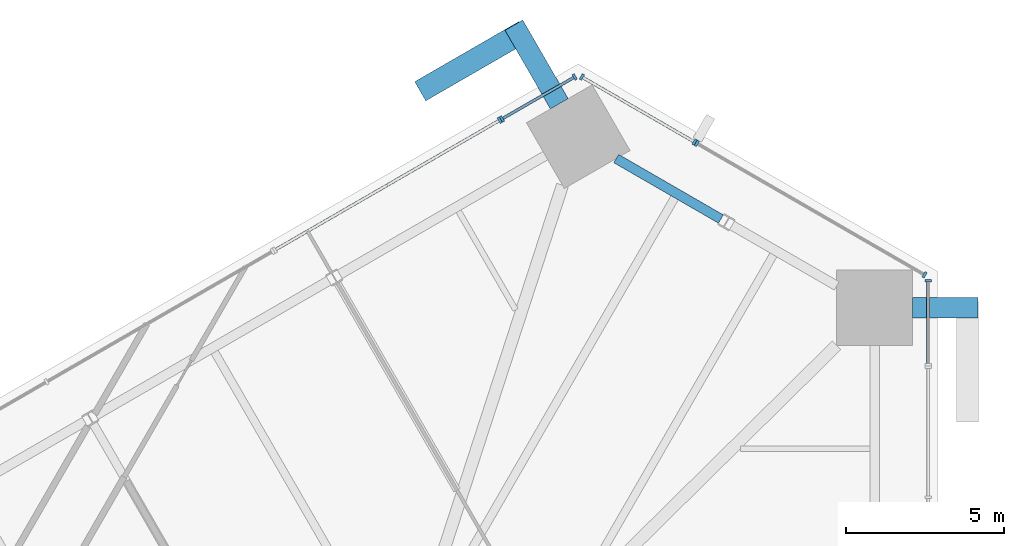
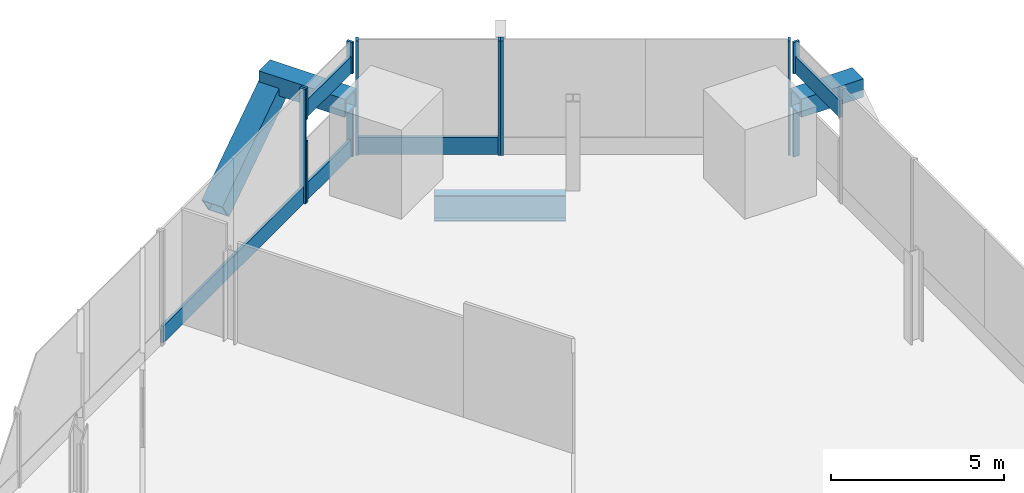
# One storey, part 8 of 22: 19 members, 1 beam, 7 elements without a shape of their own.
"""IFC4 building model written with IfcOpenShell, lengths in metres."""

from ifc_helpers import new_model, si_unit, direction, frame, origin, origin_2d, place, context, subcontext, project, spatial, rectangle, hollow_rectangle, i_section, extrude, source, transform, mapped, material, material_profile, profile_set, type_object, element, aggregate, save


model = new_model("IFC4")

# Units and contexts
model_context = context("Model", 3, precision=1e-05, world=origin(), true_north=direction((0.0, 1.0)))
body_context = subcontext(model_context, "Body", "Model", "MODEL_VIEW")
ifc_project = project(units=[si_unit("LENGTHUNIT", "METRE"), si_unit("AREAUNIT", "SQUARE_METRE"), si_unit("VOLUMEUNIT", "CUBIC_METRE"), si_unit("PLANEANGLEUNIT", "RADIAN"), si_unit("MASSUNIT", "GRAM", prefix="KILO")], contexts=[model_context])

# Site, building, storey
site_placement = place(None, origin())
site = spatial("IfcSite", under=ifc_project, at=site_placement, CompositionType="ELEMENT")
building_placement = place(site_placement, origin())
building = spatial("IfcBuilding", under=site, at=building_placement, Name="Triune Harvest Tower", CompositionType="ELEMENT")
storey_placement = place(building_placement, frame((0.0, 0.0, 50.39990234375)))
storey = spatial("IfcBuildingStorey", under=building, at=storey_placement, Name="L11", CompositionType="ELEMENT", Elevation=50.39990234375)

# Curtain wall, member
ifc_material_1 = material(Name="Aluminium bronze anodised", Category="aluminium")
curtain_wall_type_1 = type_object("IfcCurtainWallType", Name="CW-8 Farm floor curtain wall with insulated spandrel infill", PredefinedType="NOTDEFINED", material=ifc_material_1)
curtain_wall_1_placement = place(storey_placement, origin())
curtain_wall_1 = element("IfcCurtainWall", 1, at=curtain_wall_1_placement, inside=storey, type_object=curtain_wall_type_1, Name="CW-8 B1-F3 L11 run 201")
ifc_material_2 = material(Name="Aluminium bronze anodised", Category="aluminium")
ifc_material_profile_1 = material_profile(ifc_material_2, rectangle(XDim=0.090087890625, YDim=0.60009765625, at=origin_2d()), Name="TR-3 transom 90 x 600")
ifc_profile_set_1 = profile_set([ifc_material_profile_1], Name="Aluminium bronze anodised")
member_type_1 = type_object("IfcMemberType", Name="TR-3 transom 90 x 600", PredefinedType="USERDEFINED", material=ifc_profile_set_1)
member_1_placement = place(storey_placement, frame((9.79296875, 32.640869140625, 0.300048828125), z_axis=(-0.86602913801, -0.499993532075, 0.0), x_axis=(0.499993532075, -0.86602913801, 0.0)))
member_1 = element("IfcMember", 2, at=member_1_placement, type_object=member_type_1, Name="CW-8 transom B1-F3 201.1", ObjectType="TRANSOM", PredefinedType="USERDEFINED", context=body_context, shape_type="SweptSolid", body=[
    extrude(rectangle(XDim=0.090087890625, YDim=0.60009765625, at=origin_2d()), origin(), (0.0, 0.0, 1.0), 8.1337890625),
])

# Beam
ifc_material_3 = material(Name="Steel ASTM A992 Gr 50", Category="steel")
ifc_material_profile_2 = material_profile(ifc_material_3, i_section(OverallWidth=0.3046875, OverallDepth=0.914306640625, WebThickness=0.0166015625, FlangeThickness=0.02587890625, at=origin_2d()), Name="W36x160")
ifc_profile_set_2 = profile_set([ifc_material_profile_2], Name="Steel ASTM A992 Gr 50")
beam_type = type_object("IfcBeamType", Name="SB-1 Spandrel beam W36x160", PredefinedType="SPANDREL", material=ifc_profile_set_2)
shared_shape_1 = source(origin(), body_context, "Body", "SweptSolid", [
    extrude(i_section(OverallWidth=0.3046875, OverallDepth=0.914306640625, WebThickness=0.0166015625, FlangeThickness=0.02587890625, at=origin_2d()), origin(), (0.0, 0.0, 1.0), 3.822509765625),
])
beam_placement = place(storey_placement, frame((16.8193359375, 29.535888671875, -0.656982421875), z_axis=(-0.866005830769, 0.500033899925, 0.0), x_axis=(-0.500033899925, -0.866005830769, 0.0)))
element("IfcBeam", 3, at=beam_placement, inside=storey, type_object=beam_type, Name="beam/L11/SB8", PredefinedType="SPANDREL", context=body_context, shape_type="MappedRepresentation", body=[
    mapped(shared_shape_1, transform((0.0, 0.0, 0.0), scale=1.0)),
])

# Members
ifc_material_4 = material(Name="Steel ASTM A572 Gr 50", Category="steel")
ifc_material_profile_3 = material_profile(ifc_material_4, hollow_rectangle(XDim=0.64990234375, YDim=0.64990234375, WallThickness=0.070068359375, at=origin_2d()), Name="Box 650x650x70")
ifc_profile_set_3 = profile_set([ifc_material_profile_3], Name="Steel ASTM A572 Gr 50")
member_type_2 = type_object("IfcMemberType", Name="BS-1 Brace stub Box 650x650x70", PredefinedType="STRUT", material=ifc_profile_set_3)
shared_shape_2 = source(origin(), body_context, "Body", "SweptSolid", [
    extrude(hollow_rectangle(XDim=0.64990234375, YDim=0.64990234375, WallThickness=0.070068359375, at=origin_2d()), origin(), (0.0, 0.0, 1.0), 2.072021484375),
])
member_2_placement = place(storey_placement, frame((22.87939453125, 26.72998046875, 2.550048828125), z_axis=(1.0, 0.0, 0.0), x_axis=(0.0, 1.0, 0.0)))
element("IfcMember", 4, at=member_2_placement, inside=storey, type_object=member_type_2, Name="brace/B1-F1/stub2", PredefinedType="STRUT", context=body_context, shape_type="MappedRepresentation", body=[
    mapped(shared_shape_2, transform((0.0, 0.0, 0.0), scale=1.0)),
])
ifc_material_5 = material(Name="Steel ASTM A572 Gr 50", Category="steel")
ifc_material_profile_4 = material_profile(ifc_material_5, hollow_rectangle(XDim=0.699951171875, YDim=0.699951171875, WallThickness=0.0400390625, at=origin_2d()), Name="Box 700x700x40")
ifc_profile_set_4 = profile_set([ifc_material_profile_4], Name="Steel ASTM A572 Gr 50")
member_type_3 = type_object("IfcMemberType", Name="BR-1 Brace Box 700x700x40", PredefinedType="BRACE", material=ifc_profile_set_4)
shared_shape_3 = source(origin(), body_context, "Body", "SweptSolid", [
    extrude(hollow_rectangle(XDim=0.699951171875, YDim=0.699951171875, WallThickness=0.0400390625, at=origin_2d()), origin(), (0.0, 0.0, 1.0), 4.109375),
])
member_3_placement = place(storey_placement, frame((7.481201171875, 33.67333984375, 0.0), z_axis=(0.719594964272, 0.415466280148, 0.556390921434), x_axis=(-0.500007161152, 0.866021269252, 0.0)))
element("IfcMember", 5, at=member_3_placement, inside=storey, type_object=member_type_3, Name="brace/B1-F3/d2/9", PredefinedType="BRACE", context=body_context, shape_type="MappedRepresentation", body=[
    mapped(shared_shape_3, transform((0.0, 0.0, 0.0), scale=1.0)),
])
shared_shape_4 = source(origin(), body_context, "Body", "SweptSolid", [
    extrude(hollow_rectangle(XDim=0.64990234375, YDim=0.64990234375, WallThickness=0.070068359375, at=origin_2d()), origin(), (0.0, 0.0, 1.0), 2.8720703125),
])
member_4_placement = place(storey_placement, frame((11.708984375, 33.17919921875, 2.550048828125), z_axis=(-0.499933402489, 0.866063850461, 0.0), x_axis=(-0.866063850461, -0.499933402489, 0.0)))
element("IfcMember", 6, at=member_4_placement, inside=storey, type_object=member_type_2, Name="brace/B1-F3/stub4", PredefinedType="STRUT", context=body_context, shape_type="MappedRepresentation", body=[
    mapped(shared_shape_4, transform((0.0, 0.0, 0.0), scale=1.0)),
])

# Curtain wall, member
curtain_wall_2_placement = place(storey_placement, origin())
curtain_wall_2 = element("IfcCurtainWall", 7, at=curtain_wall_2_placement, inside=storey, type_object=curtain_wall_type_1, Name="CW-8 B1-F2 L11 run 1001")
shared_shape_5 = source(origin(), body_context, "Body", "SweptSolid", [
    extrude(rectangle(XDim=0.090087890625, YDim=0.60009765625, at=origin_2d()), origin(), (0.0, 0.0, 1.0), 4.037841796875),
])
member_5_placement = place(storey_placement, frame((15.953125, 31.98974609375, 0.300048828125), z_axis=(-0.86603555974, 0.499982408957, 0.0), x_axis=(-0.499982408957, -0.86603555974, 0.0)))
member_5 = element("IfcMember", 8, at=member_5_placement, type_object=member_type_1, Name="CW-8 transom B1-F2 1001.1", ObjectType="TRANSOM", PredefinedType="USERDEFINED", context=body_context, shape_type="MappedRepresentation", body=[
    mapped(shared_shape_5, transform((0.0, 0.0, 0.0), scale=1.0)),
])

curtain_wall_3_placement = place(storey_placement, origin())
curtain_wall_3 = element("IfcCurtainWall", 9, at=curtain_wall_3_placement, inside=storey, type_object=curtain_wall_type_1, Name="CW-8 B1-F1 L11 run 301")
ifc_material_6 = material(Name="Aluminium bronze anodised", Category="aluminium")
ifc_material_profile_5 = material_profile(ifc_material_6, rectangle(XDim=0.199951171875, YDim=0.080078125, at=origin_2d()), Name="MU-3 mullion 80 x 200")
ifc_profile_set_5 = profile_set([ifc_material_profile_5], Name="Aluminium bronze anodised")
member_type_4 = type_object("IfcMemberType", Name="MU-3 mullion 80 x 200", PredefinedType="MULLION", material=ifc_profile_set_5)
shared_shape_6 = source(origin(), body_context, "Body", "SweptSolid", [
    extrude(rectangle(XDim=0.199951171875, YDim=0.080078125, at=origin_2d()), origin(), (0.0, 0.0, 1.0), 2.1650390625),
])
member_6_placement = place(storey_placement, frame((23.371337890625, 27.576904296875, 0.0), z_axis=(0.0, 0.0, 1.0), x_axis=(-1.0, 0.0, 0.0)))
member_6 = element("IfcMember", 10, at=member_6_placement, type_object=member_type_4, Name="CW-8 mullion B1-F1 301.2", PredefinedType="MULLION", context=body_context, shape_type="MappedRepresentation", body=[
    mapped(shared_shape_6, transform((0.0, 0.0, 0.0), scale=1.0)),
])
aggregate(curtain_wall_3, [member_6])

# Curtain wall, members
ifc_material_7 = material(Name="Aluminium bronze anodised", Category="aluminium")
curtain_wall_type_2 = type_object("IfcCurtainWallType", Name="CW-3 Farm floor curtain wall", PredefinedType="NOTDEFINED", material=ifc_material_7)
curtain_wall_4_placement = place(storey_placement, origin())
curtain_wall_4 = element("IfcCurtainWall", 11, at=curtain_wall_4_placement, inside=storey, type_object=curtain_wall_type_2, Name="CW-3 B1-F3 L11 run 1")
member_7_placement = place(storey_placement, frame((12.196533203125, 34.028564453125, 0.0), z_axis=(0.0, 0.0, 1.0), x_axis=(0.499988268572, -0.866032176822, 0.0)))
member_7 = element("IfcMember", 12, at=member_7_placement, type_object=member_type_4, Name="CW-3 mullion B1-F3 1.1", PredefinedType="MULLION", context=body_context, shape_type="MappedRepresentation", body=[
    mapped(shared_shape_6, transform((0.0, 0.0, 0.0), scale=1.0)),
])
member_8_placement = place(storey_placement, frame((9.896728515625, 32.700927734375, 0.0), z_axis=(0.0, 0.0, 1.0), x_axis=(0.499988268572, -0.866032176822, 0.0)))
member_8 = element("IfcMember", 13, at=member_8_placement, type_object=member_type_4, Name="CW-3 mullion B1-F3 1.2", PredefinedType="MULLION", context=body_context, shape_type="MappedRepresentation", body=[
    mapped(shared_shape_6, transform((0.0, 0.0, 0.0), scale=1.0)),
])

# Curtain wall, member
curtain_wall_5_placement = place(storey_placement, origin())
curtain_wall_5 = element("IfcCurtainWall", 14, at=curtain_wall_5_placement, inside=storey, type_object=curtain_wall_type_2, Name="CW-3 B1-F1 L11 run 401")
shared_shape_7 = source(origin(), body_context, "Body", "SweptSolid", [
    extrude(rectangle(XDim=0.090087890625, YDim=0.60009765625, at=origin_2d()), origin(), (0.0, 0.0, 1.0), 2.575439453125),
])
member_9_placement = place(storey_placement, frame((23.371337890625, 24.96142578125, 3.235107421875), z_axis=(0.0, 1.0, 0.0), x_axis=(-1.0, 0.0, 0.0)))
member_9 = element("IfcMember", 15, at=member_9_placement, type_object=member_type_1, Name="CW-3 transom B1-F1 401.1", ObjectType="TRANSOM", PredefinedType="USERDEFINED", context=body_context, shape_type="MappedRepresentation", body=[
    mapped(shared_shape_7, transform((0.0, 0.0, 0.0), scale=1.0)),
])

# Member
member_10_placement = place(storey_placement, frame((12.161865234375, 34.008544921875, 0.300048828125), z_axis=(-0.866052988967, -0.499952218018, 0.0), x_axis=(0.499952218018, -0.866052988967, 0.0)))
member_10 = element("IfcMember", 16, at=member_10_placement, type_object=member_type_1, Name="CW-3 transom B1-F3 1.1", ObjectType="TRANSOM", PredefinedType="USERDEFINED", context=body_context, shape_type="MappedRepresentation", body=[
    mapped(shared_shape_7, transform((0.0, 0.0, 0.0), scale=1.0)),
])

aggregate(curtain_wall_4, [member_7, member_8, member_10])

# Curtain wall, member
curtain_wall_6_placement = place(storey_placement, origin())
curtain_wall_6 = element("IfcCurtainWall", 17, at=curtain_wall_6_placement, inside=storey, type_object=curtain_wall_type_2, Name="CW-3 B1-F3 L11 run 101")
member_11_placement = place(storey_placement, frame((12.161865234375, 34.008544921875, 3.235107421875), z_axis=(-0.866052988967, -0.499952218018, 0.0), x_axis=(0.499952218018, -0.866052988967, 0.0)))
member_11 = element("IfcMember", 18, at=member_11_placement, type_object=member_type_1, Name="CW-3 transom B1-F3 101.1", ObjectType="TRANSOM", PredefinedType="USERDEFINED", context=body_context, shape_type="MappedRepresentation", body=[
    mapped(shared_shape_7, transform((0.0, 0.0, 0.0), scale=1.0)),
])

# Member
shared_shape_8 = source(origin(), body_context, "Body", "SweptSolid", [
    extrude(rectangle(XDim=0.199951171875, YDim=0.080078125, at=origin_2d()), origin(), (0.0, 0.0, 1.0), 1.114990234375),
])
member_12_placement = place(storey_placement, frame((23.371337890625, 27.576904296875, 2.93505859375), z_axis=(0.0, 0.0, 1.0), x_axis=(-1.0, 0.0, 0.0)))
member_12 = element("IfcMember", 19, at=member_12_placement, type_object=member_type_4, Name="CW-3 mullion B1-F1 401.2", PredefinedType="MULLION", context=body_context, shape_type="MappedRepresentation", body=[
    mapped(shared_shape_8, transform((0.0, 0.0, 0.0), scale=1.0)),
])

aggregate(curtain_wall_5, [member_12, member_9])

member_13_placement = place(storey_placement, frame((12.196533203125, 34.028564453125, 2.93505859375), z_axis=(0.0, 0.0, 1.0), x_axis=(0.499988268572, -0.866032176822, 0.0)))
member_13 = element("IfcMember", 20, at=member_13_placement, type_object=member_type_4, Name="CW-3 mullion B1-F3 101.1", PredefinedType="MULLION", context=body_context, shape_type="MappedRepresentation", body=[
    mapped(shared_shape_8, transform((0.0, 0.0, 0.0), scale=1.0)),
])

member_14_placement = place(storey_placement, frame((9.896728515625, 32.700927734375, 2.93505859375), z_axis=(0.0, 0.0, 1.0), x_axis=(0.499988268572, -0.866032176822, 0.0)))
member_14 = element("IfcMember", 21, at=member_14_placement, type_object=member_type_4, Name="CW-3 mullion B1-F3 101.2", PredefinedType="MULLION", context=body_context, shape_type="MappedRepresentation", body=[
    mapped(shared_shape_8, transform((0.0, 0.0, 0.0), scale=1.0)),
])

aggregate(curtain_wall_6, [member_13, member_14, member_11])

# Curtain wall, members
curtain_wall_7_placement = place(storey_placement, origin())
curtain_wall_7 = element("IfcCurtainWall", 22, at=curtain_wall_7_placement, inside=storey, type_object=curtain_wall_type_2, Name="CW-3 B1-F2 L11 run 1")
shared_shape_9 = source(origin(), body_context, "Body", "SweptSolid", [
    extrude(rectangle(XDim=0.199951171875, YDim=0.080078125, at=origin_2d()), origin(), (0.0, 0.0, 1.0), 4.050048828125),
])
member_15_placement = place(storey_placement, frame((23.2587890625, 27.771728515625, 0.0), z_axis=(0.0, 0.0, 1.0), x_axis=(-0.500000961283, -0.866024848787, 0.0)))
member_15 = element("IfcMember", 23, at=member_15_placement, type_object=member_type_4, Name="CW-3 mullion B1-F2 1.1", PredefinedType="MULLION", context=body_context, shape_type="MappedRepresentation", body=[
    mapped(shared_shape_9, transform((0.0, 0.0, 0.0), scale=1.0)),
])
member_16_placement = place(storey_placement, frame((16.05712890625, 31.9296875, 0.0), z_axis=(0.0, 0.0, 1.0), x_axis=(-0.500000961283, -0.866024848787, 0.0)))
member_16 = element("IfcMember", 24, at=member_16_placement, type_object=member_type_4, Name="CW-3 mullion B1-F2 1.3", PredefinedType="MULLION", context=body_context, shape_type="MappedRepresentation", body=[
    mapped(shared_shape_9, transform((0.0, 0.0, 0.0), scale=1.0)),
])
aggregate(curtain_wall_7, [member_15, member_16])

# Member
member_17_placement = place(storey_placement, frame((15.98779296875, 31.9697265625, 0.0), z_axis=(0.0, 0.0, 1.0), x_axis=(-0.499994222841, -0.866028739203, 0.0)))
member_17 = element("IfcMember", 25, at=member_17_placement, type_object=member_type_4, Name="CW-8 mullion B1-F2 1001.1", PredefinedType="MULLION", context=body_context, shape_type="MappedRepresentation", body=[
    mapped(shared_shape_9, transform((0.0, 0.0, 0.0), scale=1.0)),
])

member_18_placement = place(storey_placement, frame((12.421630859375, 34.028564453125, 0.0), z_axis=(0.0, 0.0, 1.0), x_axis=(-0.499994222841, -0.866028739203, 0.0)))
member_18 = element("IfcMember", 26, at=member_18_placement, type_object=member_type_4, Name="CW-8 mullion B1-F2 1001.2", PredefinedType="MULLION", context=body_context, shape_type="MappedRepresentation", body=[
    mapped(shared_shape_9, transform((0.0, 0.0, 0.0), scale=1.0)),
])

aggregate(curtain_wall_2, [member_17, member_18, member_5])

member_19_placement = place(storey_placement, frame((9.82763671875, 32.660888671875, 0.0), z_axis=(0.0, 0.0, 1.0), x_axis=(0.50000216637, -0.866024153026, 0.0)))
member_19 = element("IfcMember", 27, at=member_19_placement, type_object=member_type_4, Name="CW-8 mullion B1-F3 201.1", PredefinedType="MULLION", context=body_context, shape_type="MappedRepresentation", body=[
    mapped(shared_shape_9, transform((0.0, 0.0, 0.0), scale=1.0)),
])

aggregate(curtain_wall_1, [member_19, member_1])

save(model, "model.ifc")
